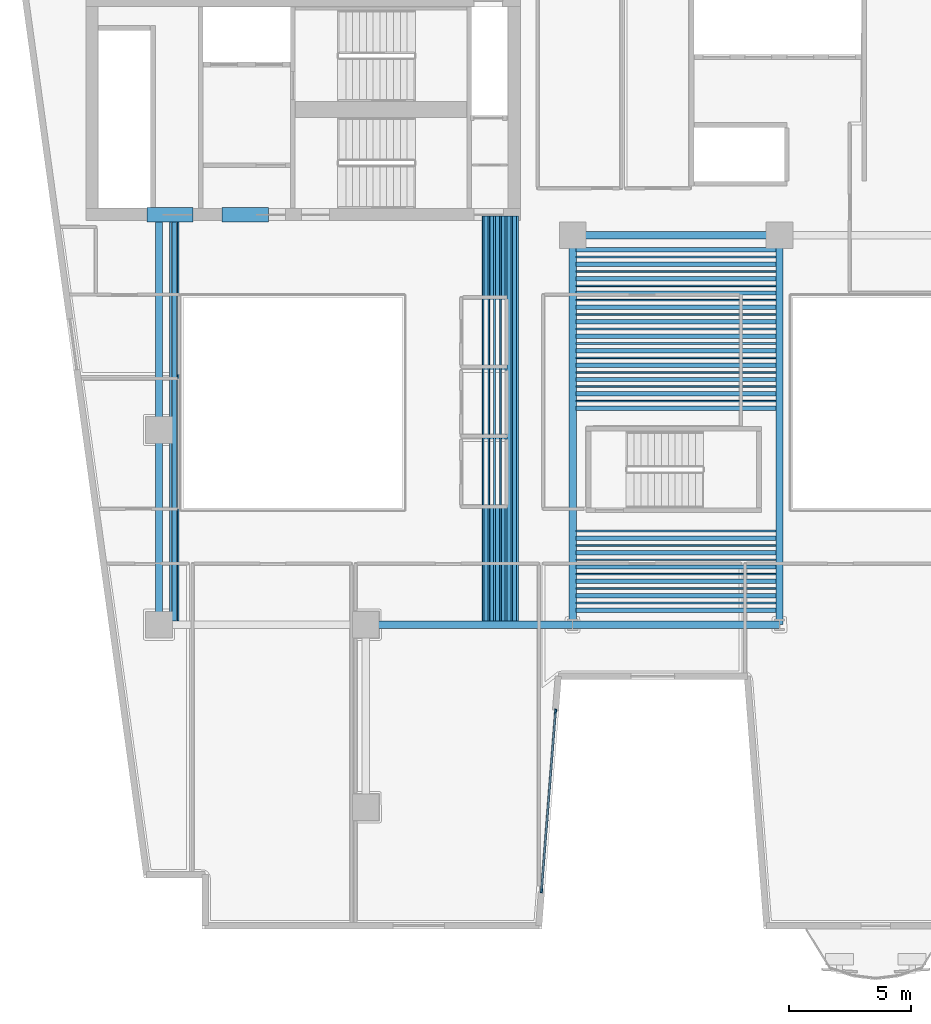
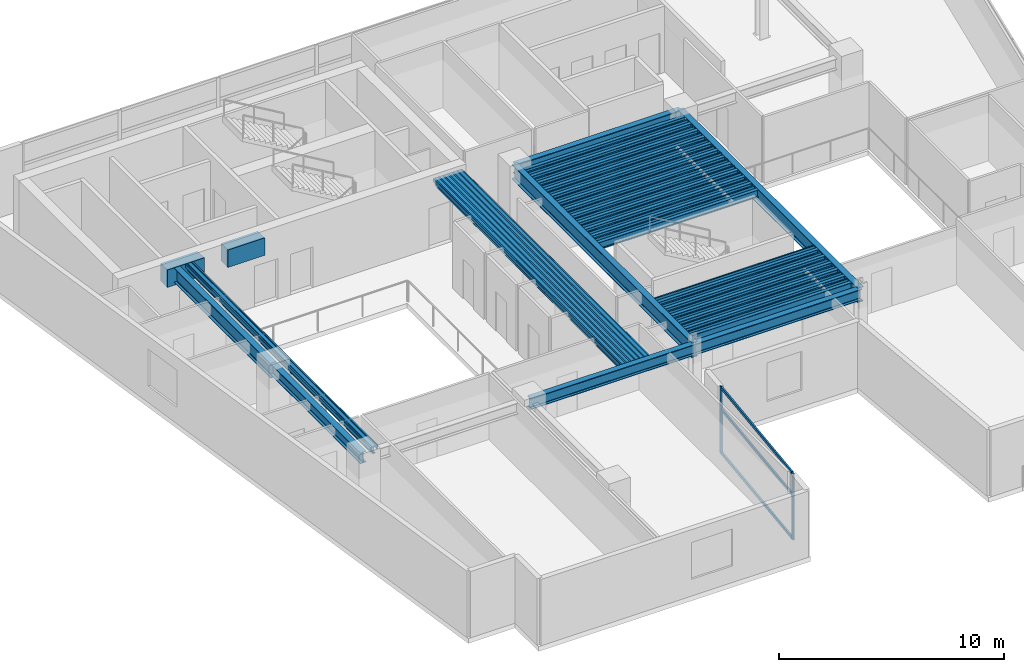
# One storey, part 2 of 14: 60 beams, 5 members, 1 element without a shape of its own.
"""IFC4 building model written with IfcOpenShell, lengths in metres."""

from ifc_helpers import new_model, si_unit, direction, frame, origin, origin_2d, place, context, subcontext, project, spatial, rectangle, hollow_rectangle, i_section, extrude, material, layer, layer_set, material_profile, profile_set, type_object, element, aggregate, save


model = new_model("IFC4")

# Units and contexts
model_context = context("Model", 3, precision=1e-05, world=origin(), true_north=direction((0.0, 1.0)))
body_context = subcontext(model_context, "Body", "Model", "MODEL_VIEW")
ifc_project = project(units=[si_unit("LENGTHUNIT", "METRE"), si_unit("AREAUNIT", "SQUARE_METRE"), si_unit("VOLUMEUNIT", "CUBIC_METRE"), si_unit("PLANEANGLEUNIT", "RADIAN"), si_unit("MASSUNIT", "GRAM", prefix="KILO")], contexts=[model_context])

# Site, building, storey
site_placement = place(None, origin())
site = spatial("IfcSite", under=ifc_project, at=site_placement, CompositionType="ELEMENT")
building_placement = place(site_placement, origin())
building = spatial("IfcBuilding", under=site, at=building_placement, Name="Caeloran Harvest Quay", CompositionType="ELEMENT")
storey_placement = place(building_placement, frame((0.0, 0.0, 174.60009765625)))
storey = spatial("IfcBuildingStorey", under=building, at=storey_placement, Name="L41", CompositionType="ELEMENT", Elevation=174.60009765625)

# Beams
ifc_material_1 = material(Name="Concrete C60/75", Category="concrete")
ifc_material_profile_1 = material_profile(ifc_material_1, rectangle(XDim=0.60009765625, YDim=0.949951171875, at=origin_2d()), Name="RC 600x950")
ifc_profile_set_1 = profile_set([ifc_material_profile_1], Name="Concrete C60/75")
beam_type_1 = type_object("IfcBeamType", Name="BM-CB-2-RC_600x950", PredefinedType="LINTEL", material=ifc_profile_set_1)
for number, where, z_axis, x_axis, name in (
    (1, (8.0, 31.85009765625, 3.125), (1.0, 0.0, 0.0), (0.0, 1.0, 0.0), "L41 Core Coupling Beam 1"),
    (2, (11.10009765625, 31.85009765625, 3.125), (1.0, 0.0, 0.0), (0.0, 1.0, 0.0), "L41 Core Coupling Beam 2"),
):
    element("IfcBeam", number, at=place(storey_placement, frame(where, z_axis=z_axis, x_axis=x_axis)), inside=storey, type_object=beam_type_1, Name=name, PredefinedType="LINTEL", context=body_context, shape_type="SweptSolid", body=[
        extrude(rectangle(XDim=0.60009765625, YDim=0.949951171875, at=origin_2d()), origin(), (0.0, 0.0, 1.0), 1.89990234375),
    ])
ifc_material_2 = material(Name="Steel S355J2", Category="steel")
ifc_material_profile_2 = material_profile(ifc_material_2, i_section(OverallWidth=0.300048828125, OverallDepth=0.800048828125, WebThickness=0.017578125, FlangeThickness=0.032958984375, FilletRadius=0.030029296875, at=origin_2d()), Name="HE 800 B")
ifc_profile_set_2 = profile_set([ifc_material_profile_2], Name="Steel S355J2")
beam_type_2 = type_object("IfcBeamType", Name="BM-PG-1-HE_800_B", PredefinedType="BEAM", material=ifc_profile_set_2)
beam_1_placement = place(storey_placement, frame((8.5, 23.0, 3.199951171875), z_axis=(0.0, 1.0, 0.0), x_axis=(-1.0, 0.0, 0.0)))
element("IfcBeam", 3, at=beam_1_placement, inside=storey, type_object=beam_type_2, Name="L41 Core South Tie Girder X=8.5", PredefinedType="BEAM", context=body_context, shape_type="SweptSolid", body=[
    extrude(i_section(OverallWidth=0.300048828125, OverallDepth=0.800048828125, WebThickness=0.017578125, FlangeThickness=0.032958984375, FilletRadius=0.030029296875, at=origin_2d()), origin(), (0.0, 0.0, 1.0), 8.800048828125),
])
for number, where, z_axis, x_axis, name in (
    (4, (25.5, 15.0, 3.199951171875), (0.0, 1.0, 0.0), (-1.0, 0.0, 0.0), "L41 Primary North-South Girder X=25.5"),
    (5, (34.0, 15.0, 3.199951171875), (0.0, 1.0, 0.0), (-1.0, 0.0, 0.0), "L41 Primary North-South Girder X=34.0"),
):
    element("IfcBeam", number, at=place(storey_placement, frame(where, z_axis=z_axis, x_axis=x_axis)), inside=storey, type_object=beam_type_2, Name=name, PredefinedType="BEAM", context=body_context, shape_type="SweptSolid", body=[
        extrude(i_section(OverallWidth=0.300048828125, OverallDepth=0.800048828125, WebThickness=0.017578125, FlangeThickness=0.032958984375, FilletRadius=0.030029296875, at=origin_2d()), origin(), (0.0, 0.0, 1.0), 16.0),
    ])
ifc_material_profile_3 = material_profile(ifc_material_2, i_section(OverallWidth=0.300048828125, OverallDepth=0.60009765625, WebThickness=0.015380859375, FlangeThickness=0.030029296875, FilletRadius=0.027099609375, at=origin_2d()), Name="HE 600 B")
ifc_profile_set_3 = profile_set([ifc_material_profile_3], Name="Steel S355J2")
beam_type_3 = type_object("IfcBeamType", Name="BM-PG-3-HE_600_B", PredefinedType="BEAM", material=ifc_profile_set_3)
for number, where, z_axis, x_axis, name in (
    (6, (17.0, 15.0, 3.2998046875), (1.0, 0.0, 0.0), (0.0, 1.0, 0.0), "L41 Primary East-West Girder Y=15.0"),
    (7, (25.5, 15.0, 3.2998046875), (1.0, 0.0, 0.0), (0.0, 1.0, 0.0), "L41 Primary East-West Girder Y=15.0"),
    (8, (25.5, 31.0, 3.2998046875), (1.0, 0.0, 0.0), (0.0, 1.0, 0.0), "L41 Primary East-West Girder Y=31.0"),
):
    element("IfcBeam", number, at=place(storey_placement, frame(where, z_axis=z_axis, x_axis=x_axis)), inside=storey, type_object=beam_type_3, Name=name, PredefinedType="BEAM", context=body_context, shape_type="SweptSolid", body=[
        extrude(i_section(OverallWidth=0.300048828125, OverallDepth=0.60009765625, WebThickness=0.015380859375, FlangeThickness=0.030029296875, FilletRadius=0.027099609375, at=origin_2d()), origin(), (0.0, 0.0, 1.0), 8.5),
    ])
beam_2_placement = place(storey_placement, frame((8.5, 15.0, 3.2998046875), z_axis=(0.0, 1.0, 0.0), x_axis=(-1.0, 0.0, 0.0)))
element("IfcBeam", 9, at=beam_2_placement, inside=storey, type_object=beam_type_3, Name="L41 Primary North-South Girder X=8.5", PredefinedType="BEAM", context=body_context, shape_type="SweptSolid", body=[
    extrude(i_section(OverallWidth=0.300048828125, OverallDepth=0.60009765625, WebThickness=0.015380859375, FlangeThickness=0.030029296875, FilletRadius=0.027099609375, at=origin_2d()), origin(), (0.0, 0.0, 1.0), 8.0),
])
ifc_material_profile_4 = material_profile(ifc_material_2, i_section(OverallWidth=0.179931640625, OverallDepth=0.39990234375, WebThickness=0.008544921875, FlangeThickness=0.013427734375, FilletRadius=0.02099609375, at=origin_2d()), Name="IPE 400")
ifc_profile_set_4 = profile_set([ifc_material_profile_4], Name="Steel S355J2")
beam_type_4 = type_object("IfcBeamType", Name="BM-SB-4-IPE_400", PredefinedType="JOIST", material=ifc_profile_set_4)
for number, where, z_axis, x_axis, name in (
    (10, (9.129638671875, 15.14501953125, 3.39990234375), (0.0, 1.0, 0.0), (-1.0, 0.0, 0.0), "L41 Secondary Composite Joist"),
    (11, (21.93896484375, 15.14501953125, 3.39990234375), (0.0, 1.0, 0.0), (-1.0, 0.0, 0.0), "L41 Secondary Composite Joist"),
    (12, (22.174072265625, 15.14501953125, 3.39990234375), (0.0, 1.0, 0.0), (-1.0, 0.0, 0.0), "L41 Secondary Composite Joist"),
    (13, (22.4091796875, 15.14501953125, 3.39990234375), (0.0, 1.0, 0.0), (-1.0, 0.0, 0.0), "L41 Secondary Composite Joist"),
    (14, (22.644287109375, 15.14501953125, 3.39990234375), (0.0, 1.0, 0.0), (-1.0, 0.0, 0.0), "L41 Secondary Composite Joist"),
    (15, (22.879638671875, 15.14501953125, 3.39990234375), (0.0, 1.0, 0.0), (-1.0, 0.0, 0.0), "L41 Secondary Composite Joist"),
    (16, (23.11474609375, 15.14501953125, 3.39990234375), (0.0, 1.0, 0.0), (-1.0, 0.0, 0.0), "L41 Secondary Composite Joist"),
):
    element("IfcBeam", number, at=place(storey_placement, frame(where, z_axis=z_axis, x_axis=x_axis)), inside=storey, type_object=beam_type_4, Name=name, PredefinedType="JOIST", context=body_context, shape_type="SweptSolid", body=[
        extrude(i_section(OverallWidth=0.179931640625, OverallDepth=0.39990234375, WebThickness=0.008544921875, FlangeThickness=0.013427734375, FilletRadius=0.02099609375, at=origin_2d()), origin(), (0.0, 0.0, 1.0), 16.655029296875),
    ])
for number, where, z_axis, x_axis, name in (
    (17, (25.64501953125, 15.592529296875, 3.39990234375), (1.0, 0.0, 0.0), (0.0, 1.0, 0.0), "L41 Secondary East-West Composite Joist"),
    (18, (25.64501953125, 16.185302734375, 3.39990234375), (1.0, 0.0, 0.0), (0.0, 1.0, 0.0), "L41 Secondary East-West Composite Joist"),
    (19, (25.64501953125, 16.77783203125, 3.39990234375), (1.0, 0.0, 0.0), (0.0, 1.0, 0.0), "L41 Secondary East-West Composite Joist"),
    (20, (25.64501953125, 17.370361328125, 3.39990234375), (1.0, 0.0, 0.0), (0.0, 1.0, 0.0), "L41 Secondary East-West Composite Joist"),
    (21, (25.64501953125, 17.962890625, 3.39990234375), (1.0, 0.0, 0.0), (0.0, 1.0, 0.0), "L41 Secondary East-West Composite Joist"),
    (22, (25.64501953125, 18.5556640625, 3.39990234375), (1.0, 0.0, 0.0), (0.0, 1.0, 0.0), "L41 Secondary East-West Composite Joist"),
    (23, (25.64501953125, 23.888916015625, 3.39990234375), (1.0, 0.0, 0.0), (0.0, 1.0, 0.0), "L41 Secondary East-West Composite Joist"),
    (24, (25.64501953125, 24.4814453125, 3.39990234375), (1.0, 0.0, 0.0), (0.0, 1.0, 0.0), "L41 Secondary East-West Composite Joist"),
    (25, (25.64501953125, 25.07421875, 3.39990234375), (1.0, 0.0, 0.0), (0.0, 1.0, 0.0), "L41 Secondary East-West Composite Joist"),
    (26, (25.64501953125, 25.666748046875, 3.39990234375), (1.0, 0.0, 0.0), (0.0, 1.0, 0.0), "L41 Secondary East-West Composite Joist"),
    (27, (25.64501953125, 26.25927734375, 3.39990234375), (1.0, 0.0, 0.0), (0.0, 1.0, 0.0), "L41 Secondary East-West Composite Joist"),
    (28, (25.64501953125, 26.851806640625, 3.39990234375), (1.0, 0.0, 0.0), (0.0, 1.0, 0.0), "L41 Secondary East-West Composite Joist"),
    (29, (25.64501953125, 27.4443359375, 3.39990234375), (1.0, 0.0, 0.0), (0.0, 1.0, 0.0), "L41 Secondary East-West Composite Joist"),
    (30, (25.64501953125, 28.037109375, 3.39990234375), (1.0, 0.0, 0.0), (0.0, 1.0, 0.0), "L41 Secondary East-West Composite Joist"),
    (31, (25.64501953125, 28.629638671875, 3.39990234375), (1.0, 0.0, 0.0), (0.0, 1.0, 0.0), "L41 Secondary East-West Composite Joist"),
    (32, (25.64501953125, 29.22216796875, 3.39990234375), (1.0, 0.0, 0.0), (0.0, 1.0, 0.0), "L41 Secondary East-West Composite Joist"),
    (33, (25.64501953125, 29.814697265625, 3.39990234375), (1.0, 0.0, 0.0), (0.0, 1.0, 0.0), "L41 Secondary East-West Composite Joist"),
    (34, (25.64501953125, 30.407470703125, 3.39990234375), (1.0, 0.0, 0.0), (0.0, 1.0, 0.0), "L41 Secondary East-West Composite Joist"),
):
    element("IfcBeam", number, at=place(storey_placement, frame(where, z_axis=z_axis, x_axis=x_axis)), inside=storey, type_object=beam_type_4, Name=name, PredefinedType="JOIST", context=body_context, shape_type="SweptSolid", body=[
        extrude(i_section(OverallWidth=0.179931640625, OverallDepth=0.39990234375, WebThickness=0.008544921875, FlangeThickness=0.013427734375, FilletRadius=0.02099609375, at=origin_2d()), origin(), (0.0, 0.0, 1.0), 8.2099609375),
    ])
ifc_material_profile_5 = material_profile(ifc_material_2, hollow_rectangle(XDim=0.080078125, YDim=0.199951171875, WallThickness=0.006103515625, InnerFilletRadius=0.006103515625, OuterFilletRadius=0.009033203125, at=origin_2d()), Name="RHS 200x80x6")
ifc_profile_set_5 = profile_set([ifc_material_profile_5], Name="Steel S355J2")
beam_type_5 = type_object("IfcBeamType", Name="BM-SB-7-RHS_200x80x6", PredefinedType="JOIST", material=ifc_profile_set_5)
for number, where, z_axis, x_axis, name in (
    (35, (8.97216796875, 15.14501953125, 3.5), (0.0, 1.0, 0.0), (-1.0, 0.0, 0.0), "L41 Secondary Composite Joist"),
    (36, (9.287109375, 15.14501953125, 3.5), (0.0, 1.0, 0.0), (-1.0, 0.0, 0.0), "L41 Secondary Composite Joist"),
    (37, (21.8212890625, 15.14501953125, 3.5), (0.0, 1.0, 0.0), (-1.0, 0.0, 0.0), "L41 Secondary Composite Joist"),
    (38, (22.056396484375, 15.14501953125, 3.5), (0.0, 1.0, 0.0), (-1.0, 0.0, 0.0), "L41 Secondary Composite Joist"),
    (39, (22.291748046875, 15.14501953125, 3.5), (0.0, 1.0, 0.0), (-1.0, 0.0, 0.0), "L41 Secondary Composite Joist"),
    (40, (22.52685546875, 15.14501953125, 3.5), (0.0, 1.0, 0.0), (-1.0, 0.0, 0.0), "L41 Secondary Composite Joist"),
    (41, (22.761962890625, 15.14501953125, 3.5), (0.0, 1.0, 0.0), (-1.0, 0.0, 0.0), "L41 Secondary Composite Joist"),
    (42, (22.997314453125, 15.14501953125, 3.5), (0.0, 1.0, 0.0), (-1.0, 0.0, 0.0), "L41 Secondary Composite Joist"),
    (43, (23.232421875, 15.14501953125, 3.5), (0.0, 1.0, 0.0), (-1.0, 0.0, 0.0), "L41 Secondary Composite Joist"),
):
    element("IfcBeam", number, at=place(storey_placement, frame(where, z_axis=z_axis, x_axis=x_axis)), inside=storey, type_object=beam_type_5, Name=name, PredefinedType="JOIST", context=body_context, shape_type="SweptSolid", body=[
        extrude(hollow_rectangle(XDim=0.080078125, YDim=0.199951171875, WallThickness=0.006103515625, InnerFilletRadius=0.006103515625, OuterFilletRadius=0.009033203125, at=origin_2d()), origin(), (0.0, 0.0, 1.0), 16.655029296875),
    ])
for number, where, z_axis, x_axis, name in (
    (44, (25.64501953125, 15.888916015625, 3.5), (1.0, 0.0, 0.0), (0.0, 1.0, 0.0), "L41 Secondary East-West Composite Joist"),
    (45, (25.64501953125, 16.4814453125, 3.5), (1.0, 0.0, 0.0), (0.0, 1.0, 0.0), "L41 Secondary East-West Composite Joist"),
    (46, (25.64501953125, 17.07421875, 3.5), (1.0, 0.0, 0.0), (0.0, 1.0, 0.0), "L41 Secondary East-West Composite Joist"),
    (47, (25.64501953125, 17.666748046875, 3.5), (1.0, 0.0, 0.0), (0.0, 1.0, 0.0), "L41 Secondary East-West Composite Joist"),
    (48, (25.64501953125, 18.25927734375, 3.5), (1.0, 0.0, 0.0), (0.0, 1.0, 0.0), "L41 Secondary East-West Composite Joist"),
    (49, (25.64501953125, 18.851806640625, 3.5), (1.0, 0.0, 0.0), (0.0, 1.0, 0.0), "L41 Secondary East-West Composite Joist"),
    (50, (25.64501953125, 24.185302734375, 3.5), (1.0, 0.0, 0.0), (0.0, 1.0, 0.0), "L41 Secondary East-West Composite Joist"),
    (51, (25.64501953125, 24.77783203125, 3.5), (1.0, 0.0, 0.0), (0.0, 1.0, 0.0), "L41 Secondary East-West Composite Joist"),
    (52, (25.64501953125, 25.370361328125, 3.5), (1.0, 0.0, 0.0), (0.0, 1.0, 0.0), "L41 Secondary East-West Composite Joist"),
    (53, (25.64501953125, 25.962890625, 3.5), (1.0, 0.0, 0.0), (0.0, 1.0, 0.0), "L41 Secondary East-West Composite Joist"),
    (54, (25.64501953125, 26.5556640625, 3.5), (1.0, 0.0, 0.0), (0.0, 1.0, 0.0), "L41 Secondary East-West Composite Joist"),
    (55, (25.64501953125, 27.148193359375, 3.5), (1.0, 0.0, 0.0), (0.0, 1.0, 0.0), "L41 Secondary East-West Composite Joist"),
    (56, (25.64501953125, 27.74072265625, 3.5), (1.0, 0.0, 0.0), (0.0, 1.0, 0.0), "L41 Secondary East-West Composite Joist"),
    (57, (25.64501953125, 28.333251953125, 3.5), (1.0, 0.0, 0.0), (0.0, 1.0, 0.0), "L41 Secondary East-West Composite Joist"),
    (58, (25.64501953125, 28.92578125, 3.5), (1.0, 0.0, 0.0), (0.0, 1.0, 0.0), "L41 Secondary East-West Composite Joist"),
    (59, (25.64501953125, 29.5185546875, 3.5), (1.0, 0.0, 0.0), (0.0, 1.0, 0.0), "L41 Secondary East-West Composite Joist"),
    (60, (25.64501953125, 30.111083984375, 3.5), (1.0, 0.0, 0.0), (0.0, 1.0, 0.0), "L41 Secondary East-West Composite Joist"),
):
    element("IfcBeam", number, at=place(storey_placement, frame(where, z_axis=z_axis, x_axis=x_axis)), inside=storey, type_object=beam_type_5, Name=name, PredefinedType="JOIST", context=body_context, shape_type="SweptSolid", body=[
        extrude(hollow_rectangle(XDim=0.080078125, YDim=0.199951171875, WallThickness=0.006103515625, InnerFilletRadius=0.006103515625, OuterFilletRadius=0.009033203125, at=origin_2d()), origin(), (0.0, 0.0, 1.0), 8.2099609375),
    ])

# Curtain wall, members
ifc_material_3 = material(Name="Aluminium 6063-T6 and Low-E Glazing", Category="aluminium")
ifc_layer = layer(ifc_material_3, 0.22998046875, Name="Aluminium 6063-T6 and Low-E Glazing")
ifc_layer_set = layer_set([ifc_layer], Name="Aluminium 6063-T6 and Low-E Glazing")
curtain_wall_type = type_object("IfcCurtainWallType", Name="CW-SYS-CW-6", PredefinedType="USERDEFINED", material=ifc_layer_set)
curtain_wall_placement = place(storey_placement, origin())
curtain_wall = element("IfcCurtainWall", 61, at=curtain_wall_placement, inside=storey, type_object=curtain_wall_type, Name="L41 Unitised Curtain Wall CW-6 Run 15", ObjectType="CURTAIN_WALL", PredefinedType="USERDEFINED")
ifc_material_4 = material(Name="Aluminium 6063-T6", Category="aluminium")
ifc_material_profile_6 = material_profile(ifc_material_4, rectangle(XDim=0.080078125, YDim=0.179931640625, at=origin_2d()), Name="CW-MULLION-180")
ifc_profile_set_6 = profile_set([ifc_material_profile_6], Name="Aluminium 6063-T6")
member_type_1 = type_object("IfcMemberType", Name="CW-MULLION-180", PredefinedType="MULLION", material=ifc_profile_set_6)
member_1_placement = place(storey_placement, frame((24.7978515625, 11.4443359375, 0.0), z_axis=(0.0, 0.0, 1.0), x_axis=(0.996967280277, -0.077821861046, 0.0)))
member_1 = element("IfcMember", 62, at=member_1_placement, type_object=member_type_1, Name="CW-6 mullion 1", PredefinedType="MULLION", context=body_context, shape_type="SweptSolid", body=[
    extrude(rectangle(XDim=0.080078125, YDim=0.179931640625, at=origin_2d()), origin(), (0.0, 0.0, 1.0), 3.599853515625),
])
member_2_placement = place(storey_placement, frame((24.221923828125, 4.065673828125, 0.0), z_axis=(0.0, 0.0, 1.0), x_axis=(0.996967280277, -0.077821861046, 0.0)))
member_2 = element("IfcMember", 63, at=member_2_placement, type_object=member_type_1, Name="CW-6 mullion 2", PredefinedType="MULLION", context=body_context, shape_type="SweptSolid", body=[
    extrude(rectangle(XDim=0.080078125, YDim=0.179931640625, at=origin_2d()), origin(), (0.0, 0.0, 1.0), 3.599853515625),
])
ifc_material_profile_7 = material_profile(ifc_material_4, rectangle(XDim=0.080078125, YDim=0.14990234375, at=origin_2d()), Name="CW-TRANSOM-150")
ifc_profile_set_7 = profile_set([ifc_material_profile_7], Name="Aluminium 6063-T6")
member_type_2 = type_object("IfcMemberType", Name="CW-TRANSOM-150", PredefinedType="USERDEFINED", material=ifc_profile_set_7)
member_3_placement = place(storey_placement, frame((24.794677734375, 11.404541015625, 0.039794921875), z_axis=(-0.077831218093, -0.996966549835, 0.0), x_axis=(0.996966549835, -0.077831218093, 0.0)))
member_3 = element("IfcMember", 64, at=member_3_placement, type_object=member_type_2, Name="CW-6 transom 1.1", ObjectType="TRANSOM", PredefinedType="USERDEFINED", context=body_context, shape_type="SweptSolid", body=[
    extrude(rectangle(XDim=0.080078125, YDim=0.14990234375, at=origin_2d()), origin(), (0.0, 0.0, 1.0), 7.3212890625),
])
member_4_placement = place(storey_placement, frame((24.794677734375, 11.404541015625, 2.39990234375), z_axis=(-0.077831218093, -0.996966549835, 0.0), x_axis=(0.996966549835, -0.077831218093, 0.0)))
member_4 = element("IfcMember", 65, at=member_4_placement, type_object=member_type_2, Name="CW-6 transom 1.2", ObjectType="TRANSOM", PredefinedType="USERDEFINED", context=body_context, shape_type="SweptSolid", body=[
    extrude(rectangle(XDim=0.080078125, YDim=0.14990234375, at=origin_2d()), origin(), (0.0, 0.0, 1.0), 7.3212890625),
])
member_5_placement = place(storey_placement, frame((24.794677734375, 11.404541015625, 3.559814453125), z_axis=(-0.077831218093, -0.996966549835, 0.0), x_axis=(0.996966549835, -0.077831218093, 0.0)))
member_5 = element("IfcMember", 66, at=member_5_placement, type_object=member_type_2, Name="CW-6 transom 1.3", ObjectType="TRANSOM", PredefinedType="USERDEFINED", context=body_context, shape_type="SweptSolid", body=[
    extrude(rectangle(XDim=0.080078125, YDim=0.14990234375, at=origin_2d()), origin(), (0.0, 0.0, 1.0), 7.3212890625),
])
aggregate(curtain_wall, [member_1, member_2, member_3, member_4, member_5])

save(model, "model.ifc")
